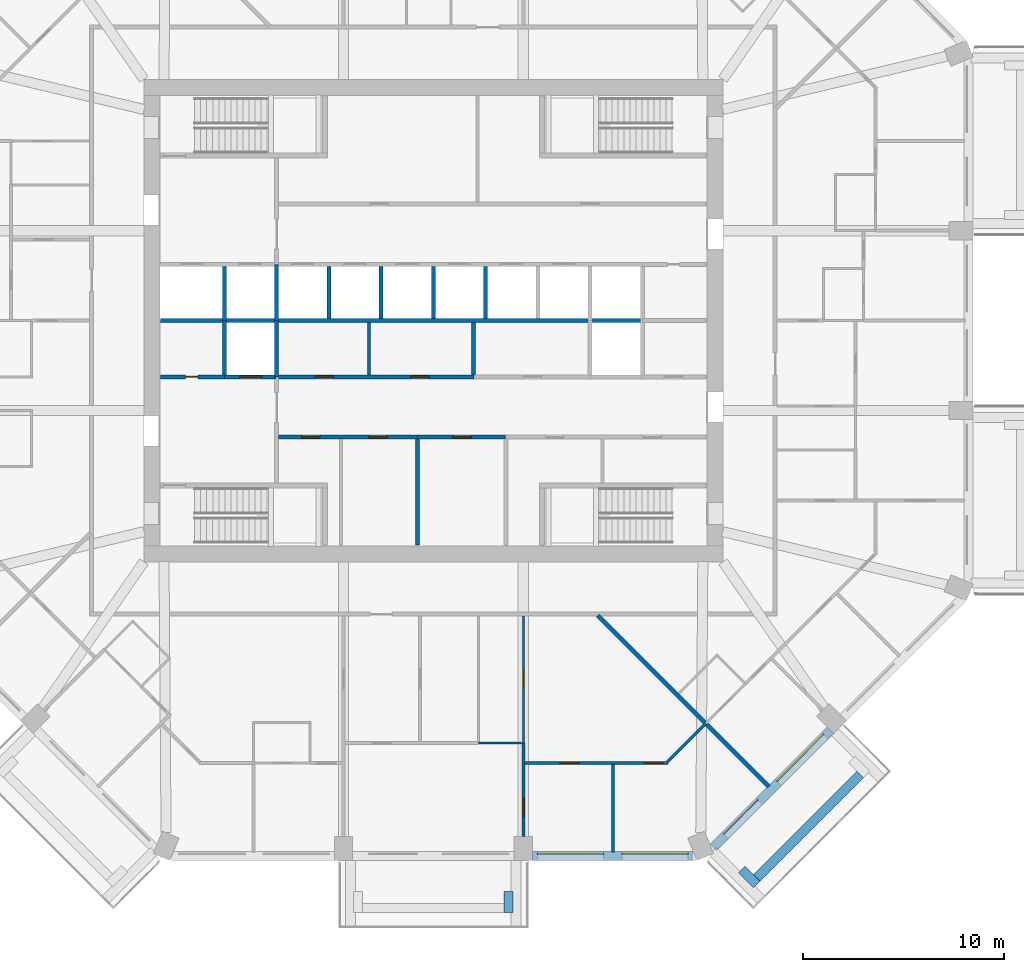
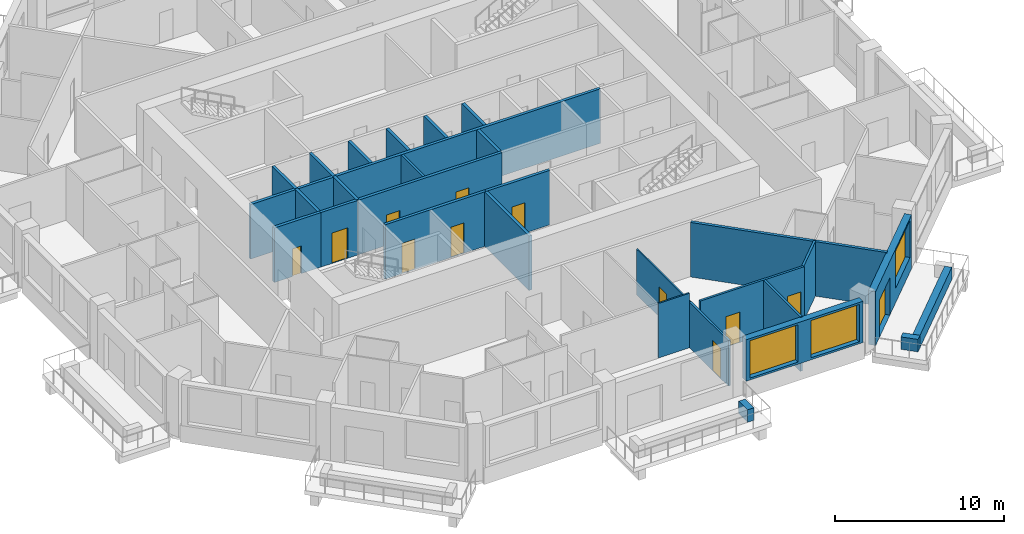
# One storey, part 5 of 13: 29 walls, 12 doors, 3 windows, 15 openings.
"""IFC4 building model written with IfcOpenShell, lengths in metres."""

from ifc_helpers import new_model, si_unit, direction, frame, frame_2d, origin, place, context, subcontext, project, spatial, rectangle, extrude, material, layer, layer_set, type_object, element, fill, save


model = new_model("IFC4")

# Units and contexts
model_context = context("Model", 3, precision=1e-05, world=origin(), true_north=direction((0.0, 1.0)))
body_context = subcontext(model_context, "Body", "Model", "MODEL_VIEW")
ifc_project = project(units=[si_unit("LENGTHUNIT", "METRE"), si_unit("AREAUNIT", "SQUARE_METRE"), si_unit("VOLUMEUNIT", "CUBIC_METRE"), si_unit("PLANEANGLEUNIT", "RADIAN"), si_unit("MASSUNIT", "GRAM", prefix="KILO")], contexts=[model_context])

# Site, building, storey
site_placement = place(None, origin())
site = spatial("IfcSite", under=ifc_project, at=site_placement, CompositionType="ELEMENT")
building_placement = place(site_placement, origin())
building = spatial("IfcBuilding", under=site, at=building_placement, Name="Msitu Wima Residences", CompositionType="ELEMENT")
storey_placement = place(building_placement, frame((0.0, 0.0, 135.89990234375)))
storey = spatial("IfcBuildingStorey", under=building, at=storey_placement, Name="L31", CompositionType="ELEMENT", Elevation=135.89990234375)

# Walls
ifc_material_1 = material(Name="Facing brick")
ifc_layer_1 = layer(ifc_material_1, 0.06494140625, Name="Facing brick")
ifc_material_2 = material(Name="Concrete C40/50", Category="concrete")
ifc_layer_2 = layer(ifc_material_2, 0.156005859375, Name="Concrete C40/50")
ifc_material_3 = material(Name="Waterproofing membrane")
ifc_layer_3 = layer(ifc_material_3, 0.00390625, Name="Waterproofing membrane")
ifc_material_4 = material(Name="Planting soil and planting")
ifc_layer_4 = layer(ifc_material_4, 0.22509765625, Name="Planting soil and planting")
ifc_layer_set_1 = layer_set([ifc_layer_1, ifc_layer_2, ifc_layer_3, ifc_layer_4], Name="Concrete C40/50")
wall_type_1 = type_object("IfcWallType", Name="Balcony planter PLANTER PL450", PredefinedType="USERDEFINED", material=ifc_layer_set_1)
wall_1_placement = place(storey_placement, frame((3.74365234375, -28.39990234375, 0.0), z_axis=(0.0, 0.0, 1.0), x_axis=(0.0, -1.0, 0.0)))
element("IfcWall", 1, at=wall_1_placement, inside=storey, type_object=wall_type_1, Name="Balcony planter S1 L31", ObjectType="PLANTER", PredefinedType="USERDEFINED", context=body_context, shape_type="SweptSolid", body=[
    extrude(rectangle(XDim=1.050048828125, YDim=0.449951171875, at=frame_2d((0.52490234375, 0.0))), origin(), (0.0, 0.0, 1.0), 0.900146484375),
])
wall_2_placement = place(storey_placement, frame((16.0751953125, -27.725830078125, 0.0), z_axis=(0.0, 0.0, 1.0), x_axis=(0.707106781187, 0.707106781187, 0.0)))
element("IfcWall", 2, at=wall_2_placement, inside=storey, type_object=wall_type_1, Name="Balcony planter SE0 L31", ObjectType="PLANTER", PredefinedType="USERDEFINED", context=body_context, shape_type="SweptSolid", body=[
    extrude(rectangle(XDim=7.288330078125, YDim=0.449951171875, at=frame_2d((3.64404296875, 0.0))), origin(), (0.0, 0.0, 1.0), 0.900146484375),
])
wall_3_placement = place(storey_placement, frame((15.332763671875, -27.301513671875, 0.0), z_axis=(0.0, 0.0, 1.0), x_axis=(0.707106781187, -0.707106781187, 0.0)))
element("IfcWall", 3, at=wall_3_placement, inside=storey, type_object=wall_type_1, Name="Balcony planter SE0 L31", ObjectType="PLANTER", PredefinedType="USERDEFINED", context=body_context, shape_type="SweptSolid", body=[
    extrude(rectangle(XDim=1.050048828125, YDim=0.449951171875, at=frame_2d((0.52490234375, 0.0))), origin(), (0.0, 0.0, 1.0), 0.900146484375),
])

# Wall, openings, windows
ifc_material_5 = material(Name="Brick (red buff mix)", Category="masonry")
ifc_layer_5 = layer(ifc_material_5, 0.449951171875)
ifc_layer_set_2 = layer_set([ifc_layer_5], Name="Brick (red buff mix)")
wall_type_2 = type_object("IfcWallType", Name="Brick infill wall BW450", PredefinedType="SOLIDWALL", material=ifc_layer_set_2)
wall_4_placement = place(storey_placement, frame((4.918701171875, -26.625, 0.900146484375), z_axis=(0.0, 0.0, 1.0), x_axis=(1.0, 0.0, 0.0)))
wall_4 = element("IfcWall", 4, at=wall_4_placement, inside=storey, type_object=wall_type_2, Name="Brick infill wall L31 S2", PredefinedType="SOLIDWALL", context=body_context, shape_type="SweptSolid", body=[
    extrude(rectangle(XDim=8.0, YDim=0.449951171875, at=frame_2d((4.0, 0.0))), origin(), (0.0, 0.0, 1.0), 3.0),
])
opening_1_placement = place(wall_4_placement, frame((0.25, 0.0, 0.14990234375)))
opening_1 = element("IfcOpeningElement", 5, at=opening_1_placement, cuts=wall_4, Name="Opening W30-32.019", PredefinedType="OPENING", context=body_context, shape_type="SweptSolid", body=[
    extrude(rectangle(XDim=3.300048828125, YDim=2.699951171875, at=frame_2d((1.64990234375, 1.35009765625))), frame((0.0, 0.23486328125, 0.0), z_axis=(0.0, -1.0, 0.0), x_axis=(1.0, 0.0, 0.0)), (0.0, 0.0, 1.0), 0.469970703125),
])
opening_2_placement = place(wall_4_placement, frame((4.4501953125, 0.0, 0.14990234375)))
opening_2 = element("IfcOpeningElement", 6, at=opening_2_placement, cuts=wall_4, Name="Opening W30-32.020", PredefinedType="OPENING", context=body_context, shape_type="SweptSolid", body=[
    extrude(rectangle(XDim=3.300048828125, YDim=2.699951171875, at=frame_2d((1.64990234375, 1.35009765625))), frame((0.0, 0.23486328125, 0.0), z_axis=(0.0, -1.0, 0.0), x_axis=(1.0, 0.0, 0.0)), (0.0, 0.0, 1.0), 0.469970703125),
])
ifc_material_6 = material(Name="Anodised aluminium, bronze finish, clear low-emissivity double glazing", Category="aluminium")
window_type = type_object("IfcWindowType", Name="Window W3300x2700", PartitioningType="DOUBLE_PANEL_VERTICAL", PredefinedType="WINDOW", material=ifc_material_6)
window_1_placement = place(opening_1_placement, origin())
window_1 = element("IfcWindow", 7, at=window_1_placement, inside=storey, type_object=window_type, Name="Window L31 S2.1", OverallHeight=2.699951171875, OverallWidth=3.300048828125, PartitioningType="SINGLE_PANEL", PredefinedType="WINDOW", context=body_context, shape_type="SweptSolid", body=[
    extrude(rectangle(XDim=3.300048828125, YDim=2.699951171875, at=frame_2d((1.64990234375, 1.35009765625))), frame((0.0, 0.135009765625, 0.0), z_axis=(0.0, -1.0, 0.0), x_axis=(1.0, 0.0, 0.0)), (0.0, 0.0, 1.0), 0.06005859375),
])
fill(opening_1, window_1)
window_2_placement = place(opening_2_placement, origin())
window_2 = element("IfcWindow", 8, at=window_2_placement, inside=storey, type_object=window_type, Name="Window L31 S2.2", OverallHeight=2.699951171875, OverallWidth=3.300048828125, PartitioningType="SINGLE_PANEL", PredefinedType="WINDOW", context=body_context, shape_type="SweptSolid", body=[
    extrude(rectangle(XDim=3.300048828125, YDim=2.699951171875, at=frame_2d((1.64990234375, 1.35009765625))), frame((0.0, 0.135009765625, 0.0), z_axis=(0.0, -1.0, 0.0), x_axis=(1.0, 0.0, 0.0)), (0.0, 0.0, 1.0), 0.06005859375),
])
fill(opening_2, window_2)

# Wall, openings, door, window
wall_5_placement = place(storey_placement, frame((13.909423828125, -26.214599609375, 0.0), z_axis=(0.0, 0.0, 1.0), x_axis=(0.707106781187, 0.707106781187, 0.0)))
wall_5 = element("IfcWall", 9, at=wall_5_placement, inside=storey, type_object=wall_type_2, Name="Brick infill wall L31 SE0", PredefinedType="SOLIDWALL", context=body_context, shape_type="SweptSolid", body=[
    extrude(rectangle(XDim=8.251220703125, YDim=0.449951171875, at=frame_2d((4.12548828125, 0.0))), origin(), (0.0, 0.0, 1.0), 3.900146484375),
])
opening_3_placement = place(wall_5_placement, frame((0.86279296875, 0.0, 0.0)))
opening_3 = element("IfcOpeningElement", 10, at=opening_3_placement, cuts=wall_5, Name="Opening D30-32.007", PredefinedType="OPENING", context=body_context, shape_type="SweptSolid", body=[
    extrude(rectangle(XDim=2.39990234375, YDim=2.699951171875, at=frame_2d((1.199951171875, 1.35009765625))), frame((0.0, 0.23486328125, 0.0), z_axis=(0.0, -1.0, 0.0), x_axis=(1.0, 0.0, 0.0)), (0.0, 0.0, 1.0), 0.469970703125),
])
opening_4_placement = place(wall_5_placement, frame((4.57568359375, 0.0, 1.050048828125)))
opening_4 = element("IfcOpeningElement", 11, at=opening_4_placement, cuts=wall_5, Name="Opening W30-32.021", PredefinedType="OPENING", context=body_context, shape_type="SweptSolid", body=[
    extrude(rectangle(XDim=3.300048828125, YDim=2.699951171875, at=frame_2d((1.64990234375, 1.35009765625))), frame((0.0, 0.23486328125, 0.0), z_axis=(0.0, -1.0, 0.0), x_axis=(1.0, 0.0, 0.0)), (0.0, 0.0, 1.0), 0.469970703125),
])
door_type_1 = type_object("IfcDoorType", Name="Balcony door D2400x2700", OperationType="SLIDING_TO_LEFT", PredefinedType="DOOR", material=ifc_material_6)
door_1_placement = place(opening_3_placement, origin())
door_1 = element("IfcDoor", 12, at=door_1_placement, inside=storey, type_object=door_type_1, Name="Balcony door L31 SE0", OperationType="SINGLE_SWING_LEFT", OverallHeight=2.699951171875, OverallWidth=2.39990234375, PredefinedType="DOOR", context=body_context, shape_type="SweptSolid", body=[
    extrude(rectangle(XDim=2.39990234375, YDim=2.699951171875, at=frame_2d((1.199951171875, 1.35009765625))), frame((0.0, 0.1298828125, 0.0), z_axis=(0.0, -1.0, 0.0), x_axis=(1.0, 0.0, 0.0)), (0.0, 0.0, 1.0), 0.050048828125),
])
fill(opening_3, door_1)
window_3_placement = place(opening_4_placement, origin())
window_3 = element("IfcWindow", 13, at=window_3_placement, inside=storey, type_object=window_type, Name="Window L31 SE0.2", OverallHeight=2.699951171875, OverallWidth=3.300048828125, PartitioningType="SINGLE_PANEL", PredefinedType="WINDOW", context=body_context, shape_type="SweptSolid", body=[
    extrude(rectangle(XDim=3.300048828125, YDim=2.699951171875, at=frame_2d((1.64990234375, 1.35009765625))), frame((0.0, 0.135009765625, 0.0), z_axis=(0.0, -1.0, 0.0), x_axis=(1.0, 0.0, 0.0)), (0.0, 0.0, 1.0), 0.06005859375),
])
fill(opening_4, window_3)

# Wall, openings, doors
ifc_material_7 = material(Name="Plaster")
ifc_layer_6 = layer(ifc_material_7, 0.011962890625, Name="Plaster")
ifc_material_8 = material(Name="Concrete blockwork", Category="masonry")
ifc_layer_7 = layer(ifc_material_8, 0.176025390625, Name="Concrete blockwork")
ifc_layer_8 = layer(ifc_material_7, 0.011962890625, Name="Plaster")
ifc_layer_set_3 = layer_set([ifc_layer_6, ifc_layer_7, ifc_layer_8], Name="Concrete blockwork")
wall_type_3 = type_object("IfcWallType", Name="Corridor wall FW200", PredefinedType="PARTITIONING", material=ifc_layer_set_3)
wall_6_placement = place(storey_placement, frame((-7.820068359375, -2.800048828125, 0.0), z_axis=(0.0, 0.0, 1.0), x_axis=(1.0, 0.0, 0.0)))
wall_6 = element("IfcWall", 14, at=wall_6_placement, inside=storey, type_object=wall_type_3, Name="Corridor wall", PredefinedType="PARTITIONING", context=body_context, shape_type="SweptSolid", body=[
    extrude(rectangle(XDim=9.840087890625, YDim=0.199951171875, at=frame_2d((4.919921875, 0.0))), origin(), (0.0, 0.0, 1.0), 3.9501953125),
])
opening_5_placement = place(wall_6_placement, frame((1.949951171875, 0.0, 0.0)))
opening_5 = element("IfcOpeningElement", 15, at=opening_5_placement, cuts=wall_6, Name="Opening D30-32.031", PredefinedType="OPENING", context=body_context, shape_type="SweptSolid", body=[
    extrude(rectangle(XDim=0.89990234375, YDim=2.199951171875, at=frame_2d((0.449951171875, 1.10009765625))), frame((0.0, 0.10986328125, 0.0), z_axis=(0.0, -1.0, 0.0), x_axis=(1.0, 0.0, 0.0)), (0.0, 0.0, 1.0), 0.219970703125),
])
opening_6_placement = place(wall_6_placement, frame((6.699951171875, 0.0, 0.0)))
opening_6 = element("IfcOpeningElement", 16, at=opening_6_placement, cuts=wall_6, Name="Opening D30-32.032", PredefinedType="OPENING", context=body_context, shape_type="SweptSolid", body=[
    extrude(rectangle(XDim=0.89990234375, YDim=2.199951171875, at=frame_2d((0.449951171875, 1.10009765625))), frame((0.0, 0.10986328125, 0.0), z_axis=(0.0, -1.0, 0.0), x_axis=(1.0, 0.0, 0.0)), (0.0, 0.0, 1.0), 0.219970703125),
])
ifc_material_9 = material(Name="Timber flush door", Category="wood")
door_type_2 = type_object("IfcDoorType", Name="Service door D05 900x2200", OperationType="SINGLE_SWING_LEFT", PredefinedType="DOOR", material=ifc_material_9)
door_2_placement = place(opening_5_placement, origin())
door_2 = element("IfcDoor", 17, at=door_2_placement, inside=storey, type_object=door_type_2, Name="Service door", OperationType="SINGLE_SWING_RIGHT", OverallHeight=2.199951171875, OverallWidth=0.89990234375, PredefinedType="DOOR", context=body_context, shape_type="SweptSolid", body=[
    extrude(rectangle(XDim=0.89990234375, YDim=2.199951171875, at=frame_2d((0.449951171875, 1.10009765625))), frame((0.0, 0.02490234375, 0.0), z_axis=(0.0, -1.0, 0.0), x_axis=(1.0, 0.0, 0.0)), (0.0, 0.0, 1.0), 0.050048828125),
])
fill(opening_5, door_2)
door_3_placement = place(opening_6_placement, origin())
door_3 = element("IfcDoor", 18, at=door_3_placement, inside=storey, type_object=door_type_2, Name="Service door", OperationType="SINGLE_SWING_LEFT", OverallHeight=2.199951171875, OverallWidth=0.89990234375, PredefinedType="DOOR", context=body_context, shape_type="SweptSolid", body=[
    extrude(rectangle(XDim=0.89990234375, YDim=2.199951171875, at=frame_2d((0.449951171875, 1.10009765625))), frame((0.0, 0.02490234375, 0.0), z_axis=(0.0, -1.0, 0.0), x_axis=(1.0, 0.0, 0.0)), (0.0, 0.0, 1.0), 0.050048828125),
])
fill(opening_6, door_3)

wall_7_placement = place(storey_placement, frame((-7.699951171875, -5.800048828125, 0.0), z_axis=(0.0, 0.0, 1.0), x_axis=(1.0, 0.0, 0.0)))
wall_7 = element("IfcWall", 19, at=wall_7_placement, inside=storey, type_object=wall_type_3, Name="Corridor wall", PredefinedType="PARTITIONING", context=body_context, shape_type="SweptSolid", body=[
    extrude(rectangle(XDim=6.919921875, YDim=0.199951171875, at=frame_2d((3.4599609375, 0.0))), origin(), (0.0, 0.0, 1.0), 3.9501953125),
])
opening_7_placement = place(wall_7_placement, frame((1.14990234375, 0.0, 0.0)))
opening_7 = element("IfcOpeningElement", 20, at=opening_7_placement, cuts=wall_7, Name="Opening D30-32.022", PredefinedType="OPENING", context=body_context, shape_type="SweptSolid", body=[
    extrude(rectangle(XDim=0.89990234375, YDim=2.199951171875, at=frame_2d((0.449951171875, 1.10009765625))), frame((0.0, 0.10986328125, 0.0), z_axis=(0.0, -1.0, 0.0), x_axis=(1.0, 0.0, 0.0)), (0.0, 0.0, 1.0), 0.219970703125),
])
opening_8_placement = place(wall_7_placement, frame((4.5, 0.0, 0.0)))
opening_8 = element("IfcOpeningElement", 21, at=opening_8_placement, cuts=wall_7, Name="Opening D30-32.023", PredefinedType="OPENING", context=body_context, shape_type="SweptSolid", body=[
    extrude(rectangle(XDim=0.89990234375, YDim=2.199951171875, at=frame_2d((0.449951171875, 1.10009765625))), frame((0.0, 0.10986328125, 0.0), z_axis=(0.0, -1.0, 0.0), x_axis=(1.0, 0.0, 0.0)), (0.0, 0.0, 1.0), 0.219970703125),
])
door_4_placement = place(opening_7_placement, origin())
door_4 = element("IfcDoor", 22, at=door_4_placement, inside=storey, type_object=door_type_2, Name="Service door", OperationType="SINGLE_SWING_LEFT", OverallHeight=2.199951171875, OverallWidth=0.89990234375, PredefinedType="DOOR", context=body_context, shape_type="SweptSolid", body=[
    extrude(rectangle(XDim=0.89990234375, YDim=2.199951171875, at=frame_2d((0.449951171875, 1.10009765625))), frame((0.0, 0.02490234375, 0.0), z_axis=(0.0, -1.0, 0.0), x_axis=(1.0, 0.0, 0.0)), (0.0, 0.0, 1.0), 0.050048828125),
])
fill(opening_7, door_4)
door_5_placement = place(opening_8_placement, origin())
door_5 = element("IfcDoor", 23, at=door_5_placement, inside=storey, type_object=door_type_2, Name="Service door", OperationType="SINGLE_SWING_RIGHT", OverallHeight=2.199951171875, OverallWidth=0.89990234375, PredefinedType="DOOR", context=body_context, shape_type="SweptSolid", body=[
    extrude(rectangle(XDim=0.89990234375, YDim=2.199951171875, at=frame_2d((0.449951171875, 1.10009765625))), frame((0.0, 0.02490234375, 0.0), z_axis=(0.0, -1.0, 0.0), x_axis=(1.0, 0.0, 0.0)), (0.0, 0.0, 1.0), 0.050048828125),
])
fill(opening_8, door_5)

# Wall
ifc_layer_9 = layer(ifc_material_7, 0.011962890625, Name="Plaster")
ifc_layer_10 = layer(ifc_material_8, 0.1259765625, Name="Concrete blockwork")
ifc_layer_11 = layer(ifc_material_7, 0.011962890625, Name="Plaster")
ifc_layer_set_4 = layer_set([ifc_layer_9, ifc_layer_10, ifc_layer_11], Name="Concrete blockwork")
wall_type_4 = type_object("IfcWallType", Name="Partition PW150", PredefinedType="PARTITIONING", material=ifc_layer_set_4)
wall_8_placement = place(storey_placement, frame((-3.199951171875, -2.699951171875, 0.0), z_axis=(0.0, 0.0, 1.0), x_axis=(0.0, 1.0, 0.0)))
element("IfcWall", 24, at=wall_8_placement, inside=storey, type_object=wall_type_4, Name="Partition", PredefinedType="PARTITIONING", context=body_context, shape_type="SweptSolid", body=[
    extrude(rectangle(XDim=2.599853515625, YDim=0.14990234375, at=frame_2d((1.2998046875, 0.0))), origin(), (0.0, 0.0, 1.0), 3.9501953125),
])

# Wall, opening, door
wall_9_placement = place(storey_placement, frame((4.46875, -25.64990234375, 0.0), z_axis=(0.0, 0.0, 1.0), x_axis=(0.0, 1.0, 0.0)))
wall_9 = element("IfcWall", 25, at=wall_9_placement, inside=storey, type_object=wall_type_4, Name="Partition", PredefinedType="PARTITIONING", context=body_context, shape_type="SweptSolid", body=[
    extrude(rectangle(XDim=4.6298828125, YDim=0.14990234375, at=frame_2d((2.31494140625, 0.0))), origin(), (0.0, 0.0, 1.0), 3.300048828125),
])
opening_9_placement = place(wall_9_placement, frame((0.949951171875, 0.0, 0.0)))
opening_9 = element("IfcOpeningElement", 26, at=opening_9_placement, cuts=wall_9, Name="Opening D30-32.068", PredefinedType="OPENING", context=body_context, shape_type="SweptSolid", body=[
    extrude(rectangle(XDim=0.949951171875, YDim=2.199951171875, at=frame_2d((0.47509765625, 1.10009765625))), frame((0.0, 0.0849609375, 0.0), z_axis=(0.0, -1.0, 0.0), x_axis=(1.0, 0.0, 0.0)), (0.0, 0.0, 1.0), 0.169921875),
])
door_type_3 = type_object("IfcDoorType", Name="Room door D12 950x2200", OperationType="SINGLE_SWING_LEFT", PredefinedType="DOOR", material=ifc_material_9)
door_6_placement = place(opening_9_placement, origin())
door_6 = element("IfcDoor", 27, at=door_6_placement, inside=storey, type_object=door_type_3, Name="Room door", OperationType="SINGLE_SWING_LEFT", OverallHeight=2.199951171875, OverallWidth=0.949951171875, PredefinedType="DOOR", context=body_context, shape_type="SweptSolid", body=[
    extrude(rectangle(XDim=0.949951171875, YDim=2.199951171875, at=frame_2d((0.47509765625, 1.10009765625))), frame((0.0, 0.02490234375, 0.0), z_axis=(0.0, -1.0, 0.0), x_axis=(1.0, 0.0, 0.0)), (0.0, 0.0, 1.0), 0.050048828125),
])
fill(opening_9, door_6)

# Wall, openings, doors
wall_10_placement = place(storey_placement, frame((4.543701171875, -22.0, 0.0), z_axis=(0.0, 0.0, 1.0), x_axis=(1.0, 0.0, 0.0)))
wall_10 = element("IfcWall", 28, at=wall_10_placement, inside=storey, type_object=wall_type_4, Name="Partition", PredefinedType="PARTITIONING", context=body_context, shape_type="SweptSolid", body=[
    extrude(rectangle(XDim=7.11474609375, YDim=0.14990234375, at=frame_2d((3.557373046875, 0.0))), origin(), (0.0, 0.0, 1.0), 3.9501953125),
])
opening_10_placement = place(wall_10_placement, frame((1.75, 0.0, 0.0)))
opening_10 = element("IfcOpeningElement", 29, at=opening_10_placement, cuts=wall_10, Name="Opening D30-32.069", PredefinedType="OPENING", context=body_context, shape_type="SweptSolid", body=[
    extrude(rectangle(XDim=0.949951171875, YDim=2.199951171875, at=frame_2d((0.47509765625, 1.10009765625))), frame((0.0, 0.0849609375, 0.0), z_axis=(0.0, -1.0, 0.0), x_axis=(1.0, 0.0, 0.0)), (0.0, 0.0, 1.0), 0.169921875),
])
opening_11_placement = place(wall_10_placement, frame((5.949951171875, 0.0, 0.0)))
opening_11 = element("IfcOpeningElement", 30, at=opening_11_placement, cuts=wall_10, Name="Opening D30-32.072", PredefinedType="OPENING", context=body_context, shape_type="SweptSolid", body=[
    extrude(rectangle(XDim=0.949951171875, YDim=2.199951171875, at=frame_2d((0.47509765625, 1.10009765625))), frame((0.0, 0.0849609375, 0.0), z_axis=(0.0, -1.0, 0.0), x_axis=(1.0, 0.0, 0.0)), (0.0, 0.0, 1.0), 0.169921875),
])
door_7_placement = place(opening_10_placement, origin())
door_7 = element("IfcDoor", 31, at=door_7_placement, inside=storey, type_object=door_type_3, Name="Room door", OperationType="SINGLE_SWING_LEFT", OverallHeight=2.199951171875, OverallWidth=0.949951171875, PredefinedType="DOOR", context=body_context, shape_type="SweptSolid", body=[
    extrude(rectangle(XDim=0.949951171875, YDim=2.199951171875, at=frame_2d((0.47509765625, 1.10009765625))), frame((0.0, 0.02490234375, 0.0), z_axis=(0.0, -1.0, 0.0), x_axis=(1.0, 0.0, 0.0)), (0.0, 0.0, 1.0), 0.050048828125),
])
fill(opening_10, door_7)
door_8_placement = place(opening_11_placement, origin())
door_8 = element("IfcDoor", 32, at=door_8_placement, inside=storey, type_object=door_type_3, Name="Room door", OperationType="SINGLE_SWING_RIGHT", OverallHeight=2.199951171875, OverallWidth=0.949951171875, PredefinedType="DOOR", context=body_context, shape_type="SweptSolid", body=[
    extrude(rectangle(XDim=0.949951171875, YDim=2.199951171875, at=frame_2d((0.47509765625, 1.10009765625))), frame((0.0, 0.02490234375, 0.0), z_axis=(0.0, -1.0, 0.0), x_axis=(1.0, 0.0, 0.0)), (0.0, 0.0, 1.0), 0.050048828125),
])
fill(opening_11, door_8)

# Walls
wall_11_placement = place(storey_placement, frame((8.937255859375, -26.455078125, 0.0), z_axis=(0.0, 0.0, 1.0), x_axis=(0.0, 1.0, 0.0)))
element("IfcWall", 33, at=wall_11_placement, inside=storey, type_object=wall_type_4, Name="Partition", PredefinedType="PARTITIONING", context=body_context, shape_type="SweptSolid", body=[
    extrude(rectangle(XDim=4.380126953125, YDim=0.14990234375, at=frame_2d((2.18994140625, 0.0))), origin(), (0.0, 0.0, 1.0), 3.9501953125),
])
wall_12_placement = place(storey_placement, frame((11.636474609375, -21.947021484375, 0.0), z_axis=(0.0, 0.0, 1.0), x_axis=(0.707106781187, 0.707106781187, 0.0)))
element("IfcWall", 34, at=wall_12_placement, inside=storey, type_object=wall_type_4, Name="Partition", PredefinedType="PARTITIONING", context=body_context, shape_type="SweptSolid", body=[
    extrude(rectangle(XDim=2.696533203125, YDim=0.14990234375, at=frame_2d((1.34814453125, 0.0))), origin(), (0.0, 0.0, 1.0), 3.9501953125),
])
ifc_layer_12 = layer(ifc_material_7, 0.011962890625, Name="Plaster")
ifc_material_10 = material(Name="Dense concrete blockwork", Category="masonry")
ifc_layer_13 = layer(ifc_material_10, 0.176025390625, Name="Dense concrete blockwork")
ifc_layer_14 = layer(ifc_material_7, 0.011962890625, Name="Plaster")
ifc_layer_set_5 = layer_set([ifc_layer_12, ifc_layer_13, ifc_layer_14], Name="Dense concrete blockwork")
wall_type_5 = type_object("IfcWallType", Name="Party wall PW200", PredefinedType="PARTITIONING", material=ifc_layer_set_5)
wall_13_placement = place(storey_placement, frame((8.173583984375, -14.670654296875, 0.0), z_axis=(0.0, 0.0, 1.0), x_axis=(0.707106781187, -0.707106781187, 0.0)))
element("IfcWall", 35, at=wall_13_placement, inside=storey, type_object=wall_type_5, Name="Party wall", PredefinedType="PARTITIONING", context=body_context, shape_type="SweptSolid", body=[
    extrude(rectangle(XDim=12.048828125, YDim=0.199951171875, at=frame_2d((6.0244140625, 0.0))), origin(), (0.0, 0.0, 1.0), 3.9501953125),
])

# Wall, opening, door
ifc_layer_15 = layer(ifc_material_7, 0.011962890625, Name="Plaster")
ifc_material_11 = material(Name="Reinforced concrete blockwork", Category="masonry")
ifc_layer_16 = layer(ifc_material_11, 0.176025390625, Name="Reinforced concrete blockwork")
ifc_layer_17 = layer(ifc_material_7, 0.011962890625, Name="Plaster")
ifc_layer_set_6 = layer_set([ifc_layer_15, ifc_layer_16, ifc_layer_17], Name="Reinforced concrete blockwork")
wall_type_6 = type_object("IfcWallType", Name="Plant and riser wall PL200", PredefinedType="PARTITIONING", material=ifc_layer_set_6)
wall_14_placement = place(storey_placement, frame((-13.570068359375, -2.800048828125, 0.0), z_axis=(0.0, 0.0, 1.0), x_axis=(1.0, 0.0, 0.0)))
wall_14 = element("IfcWall", 36, at=wall_14_placement, inside=storey, type_object=wall_type_6, Name="Plant and riser wall", PredefinedType="PARTITIONING", context=body_context, shape_type="SweptSolid", body=[
    extrude(rectangle(XDim=3.190185546875, YDim=0.199951171875, at=frame_2d((1.59521484375, 0.0))), origin(), (0.0, 0.0, 1.0), 3.9501953125),
])
opening_12_placement = place(wall_14_placement, frame((1.25, 0.0, 0.0)))
opening_12 = element("IfcOpeningElement", 37, at=opening_12_placement, cuts=wall_14, Name="Opening D30-32.030", PredefinedType="OPENING", context=body_context, shape_type="SweptSolid", body=[
    extrude(rectangle(XDim=0.60009765625, YDim=2.0, at=frame_2d((0.300048828125, 1.0))), frame((0.0, 0.10986328125, 0.0), z_axis=(0.0, -1.0, 0.0), x_axis=(1.0, 0.0, 0.0)), (0.0, 0.0, 1.0), 0.219970703125),
])
ifc_material_12 = material(Name="Steel access door, fire resisting", Category="steel")
door_type_4 = type_object("IfcDoorType", Name="Riser access door D08 600x2000", OperationType="SINGLE_SWING_LEFT", PredefinedType="DOOR", material=ifc_material_12)
door_9_placement = place(opening_12_placement, origin())
door_9 = element("IfcDoor", 38, at=door_9_placement, inside=storey, type_object=door_type_4, Name="Riser access door", OperationType="SINGLE_SWING_RIGHT", OverallHeight=2.0, OverallWidth=0.60009765625, PredefinedType="DOOR", context=body_context, shape_type="SweptSolid", body=[
    extrude(rectangle(XDim=0.60009765625, YDim=2.0, at=frame_2d((0.300048828125, 1.0))), frame((0.0, 0.02490234375, 0.0), z_axis=(0.0, -1.0, 0.0), x_axis=(1.0, 0.0, 0.0)), (0.0, 0.0, 1.0), 0.050048828125),
])
fill(opening_12, door_9)

wall_15_placement = place(storey_placement, frame((-0.780029296875, -5.800048828125, 0.0), z_axis=(0.0, 0.0, 1.0), x_axis=(1.0, 0.0, 0.0)))
wall_15 = element("IfcWall", 39, at=wall_15_placement, inside=storey, type_object=wall_type_6, Name="Plant and riser wall", PredefinedType="PARTITIONING", context=body_context, shape_type="SweptSolid", body=[
    extrude(rectangle(XDim=4.360107421875, YDim=0.199951171875, at=frame_2d((2.18017578125, 0.0))), origin(), (0.0, 0.0, 1.0), 3.9501953125),
])
opening_13_placement = place(wall_15_placement, frame((1.75, 0.0, 0.0)))
opening_13 = element("IfcOpeningElement", 40, at=opening_13_placement, cuts=wall_15, Name="Opening D30-32.024", PredefinedType="OPENING", context=body_context, shape_type="SweptSolid", body=[
    extrude(rectangle(XDim=0.89990234375, YDim=2.199951171875, at=frame_2d((0.449951171875, 1.10009765625))), frame((0.0, 0.10986328125, 0.0), z_axis=(0.0, -1.0, 0.0), x_axis=(1.0, 0.0, 0.0)), (0.0, 0.0, 1.0), 0.219970703125),
])
door_10_placement = place(opening_13_placement, origin())
door_10 = element("IfcDoor", 41, at=door_10_placement, inside=storey, type_object=door_type_2, Name="Service door", OperationType="SINGLE_SWING_LEFT", OverallHeight=2.199951171875, OverallWidth=0.89990234375, PredefinedType="DOOR", context=body_context, shape_type="SweptSolid", body=[
    extrude(rectangle(XDim=0.89990234375, YDim=2.199951171875, at=frame_2d((0.449951171875, 1.10009765625))), frame((0.0, 0.02490234375, 0.0), z_axis=(0.0, -1.0, 0.0), x_axis=(1.0, 0.0, 0.0)), (0.0, 0.0, 1.0), 0.050048828125),
])
fill(opening_13, door_10)

# Walls
wall_16_placement = place(storey_placement, frame((-0.800048828125, -11.169921875, 0.0), z_axis=(0.0, 0.0, 1.0), x_axis=(0.0, 1.0, 0.0)))
element("IfcWall", 42, at=wall_16_placement, inside=storey, type_object=wall_type_6, Name="Plant and riser wall", PredefinedType="PARTITIONING", context=body_context, shape_type="SweptSolid", body=[
    extrude(rectangle(XDim=5.27001953125, YDim=0.199951171875, at=frame_2d((2.635009765625, 0.0))), origin(), (0.0, 0.0, 1.0), 3.9501953125),
])
wall_17_placement = place(storey_placement, frame((2.0, -2.699951171875, 0.0), z_axis=(0.0, 0.0, 1.0), x_axis=(0.0, 1.0, 0.0)))
element("IfcWall", 43, at=wall_17_placement, inside=storey, type_object=wall_type_6, Name="Plant and riser wall", PredefinedType="PARTITIONING", context=body_context, shape_type="SweptSolid", body=[
    extrude(rectangle(XDim=2.599853515625, YDim=0.199951171875, at=frame_2d((1.2998046875, 0.0))), origin(), (0.0, 0.0, 1.0), 3.9501953125),
])
ifc_material_13 = material(Name="Fire-rated board")
ifc_layer_18 = layer(ifc_material_13, 0.02490234375, Name="Fire-rated board")
ifc_material_14 = material(Name="Light-gauge stud framing with mineral wool")
ifc_layer_19 = layer(ifc_material_14, 0.14990234375, Name="Light-gauge stud framing with mineral wool")
ifc_layer_20 = layer(ifc_material_13, 0.02490234375, Name="Fire-rated board")
ifc_layer_set_7 = layer_set([ifc_layer_18, ifc_layer_19, ifc_layer_20], Name="Light-gauge stud framing with mineral wool")
wall_type_7 = type_object("IfcWallType", Name="Shaft wall SH200", PredefinedType="PARTITIONING", material=ifc_layer_set_7)
wall_18_placement = place(storey_placement, frame((-13.570068359375, 0.0, 0.0), z_axis=(0.0, 0.0, 1.0), x_axis=(1.0, 0.0, 0.0)))
element("IfcWall", 44, at=wall_18_placement, inside=storey, type_object=wall_type_7, Name="Shaft wall", PredefinedType="PARTITIONING", context=body_context, shape_type="SweptSolid", body=[
    extrude(rectangle(XDim=23.969970703125, YDim=0.199951171875, at=frame_2d((11.98486328125, 0.0))), origin(), (0.0, 0.0, 1.0), 3.9501953125),
])
wall_19_placement = place(storey_placement, frame((-10.39990234375, -2.699951171875, 0.0), z_axis=(0.0, 0.0, 1.0), x_axis=(0.0, 1.0, 0.0)))
element("IfcWall", 45, at=wall_19_placement, inside=storey, type_object=wall_type_7, Name="Shaft wall", PredefinedType="PARTITIONING", context=body_context, shape_type="SweptSolid", body=[
    extrude(rectangle(XDim=2.699951171875, YDim=0.199951171875, at=frame_2d((1.35009765625, 0.0))), origin(), (0.0, 0.0, 1.0), 3.9501953125),
])

# Wall, opening, door
wall_20_placement = place(storey_placement, frame((-10.3798828125, -2.800048828125, 0.0), z_axis=(0.0, 0.0, 1.0), x_axis=(1.0, 0.0, 0.0)))
wall_20 = element("IfcWall", 46, at=wall_20_placement, inside=storey, type_object=wall_type_7, Name="Shaft wall", PredefinedType="PARTITIONING", context=body_context, shape_type="SweptSolid", body=[
    extrude(rectangle(XDim=2.559814453125, YDim=0.199951171875, at=frame_2d((1.27978515625, 0.0))), origin(), (0.0, 0.0, 1.0), 3.9501953125),
])
opening_14_placement = place(wall_20_placement, frame((0.75, 0.0, 0.0)))
opening_14 = element("IfcOpeningElement", 47, at=opening_14_placement, cuts=wall_20, Name="Opening LD", PredefinedType="OPENING", context=body_context, shape_type="SweptSolid", body=[
    extrude(rectangle(XDim=1.10009765625, YDim=2.199951171875, at=frame_2d((0.550048828125, 1.10009765625))), frame((0.0, 0.10986328125, 0.0), z_axis=(0.0, -1.0, 0.0), x_axis=(1.0, 0.0, 0.0)), (0.0, 0.0, 1.0), 0.219970703125),
])
ifc_material_15 = material(Name="Stainless steel centre-opening landing door, rated", Category="steel")
door_type_5 = type_object("IfcDoorType", Name="Lift landing door LD 1100x2200", OperationType="DOUBLE_DOOR_SLIDING", PredefinedType="DOOR", material=ifc_material_15)
door_11_placement = place(opening_14_placement, origin())
door_11 = element("IfcDoor", 48, at=door_11_placement, inside=storey, type_object=door_type_5, Name="Lift landing door LD3", OperationType="DOUBLE_DOOR_SLIDING", OverallHeight=2.199951171875, OverallWidth=1.10009765625, PredefinedType="DOOR", context=body_context, shape_type="SweptSolid", body=[
    extrude(rectangle(XDim=1.10009765625, YDim=2.199951171875, at=frame_2d((0.550048828125, 1.10009765625))), frame((0.0, 0.02490234375, 0.0), z_axis=(0.0, -1.0, 0.0), x_axis=(1.0, 0.0, 0.0)), (0.0, 0.0, 1.0), 0.050048828125),
])
fill(opening_14, door_11)

# Walls
wall_21_placement = place(storey_placement, frame((-10.39990234375, 0.0, 0.0), z_axis=(0.0, 0.0, 1.0), x_axis=(0.0, 1.0, 0.0)))
element("IfcWall", 49, at=wall_21_placement, inside=storey, type_object=wall_type_7, Name="Shaft wall", PredefinedType="PARTITIONING", context=body_context, shape_type="SweptSolid", body=[
    extrude(rectangle(XDim=2.699951171875, YDim=0.199951171875, at=frame_2d((1.35009765625, 0.0))), origin(), (0.0, 0.0, 1.0), 3.9501953125),
])
for number, where, z_axis, x_axis, name in (
    (50, (-7.800048828125, -2.800048828125, 0.0), (0.0, 0.0, 1.0), (0.0, 1.0, 0.0), "Shaft wall"),
    (51, (-7.800048828125, 0.0, 0.0), (0.0, 0.0, 1.0), (0.0, 1.0, 0.0), "Shaft wall"),
):
    element("IfcWall", number, at=place(storey_placement, frame(where, z_axis=z_axis, x_axis=x_axis)), inside=storey, type_object=wall_type_7, Name=name, PredefinedType="PARTITIONING", context=body_context, shape_type="SweptSolid", body=[
        extrude(rectangle(XDim=2.800048828125, YDim=0.199951171875, at=frame_2d((1.39990234375, 0.0))), origin(), (0.0, 0.0, 1.0), 3.9501953125),
    ])
for number, where, z_axis, x_axis, name in (
    (52, (-5.199951171875, 0.10009765625, 0.0), (0.0, 0.0, 1.0), (0.0, 1.0, 0.0), "Shaft wall"),
    (53, (-2.60009765625, 0.10009765625, 0.0), (0.0, 0.0, 1.0), (0.0, 1.0, 0.0), "Shaft wall"),
    (54, (0.0, 0.10009765625, 0.0), (0.0, 0.0, 1.0), (0.0, 1.0, 0.0), "Shaft wall"),
    (55, (2.60009765625, 0.10009765625, 0.0), (0.0, 0.0, 1.0), (0.0, 1.0, 0.0), "Shaft wall"),
):
    element("IfcWall", number, at=place(storey_placement, frame(where, z_axis=z_axis, x_axis=x_axis)), inside=storey, type_object=wall_type_7, Name=name, PredefinedType="PARTITIONING", context=body_context, shape_type="SweptSolid", body=[
        extrude(rectangle(XDim=2.599853515625, YDim=0.199951171875, at=frame_2d((1.2998046875, 0.0))), origin(), (0.0, 0.0, 1.0), 3.9501953125),
    ])
ifc_material_16 = material(Name="Ceramic tiles")
ifc_layer_21 = layer(ifc_material_16, 0.008056640625, Name="Ceramic tiles")
ifc_material_17 = material(Name="Moisture-resistant board")
ifc_layer_22 = layer(ifc_material_17, 0.012451171875, Name="Moisture-resistant board")
ifc_layer_23 = layer(ifc_material_14, 0.06689453125, Name="Light-gauge stud framing with mineral wool")
ifc_layer_24 = layer(ifc_material_17, 0.012451171875, Name="Moisture-resistant board")
ifc_layer_set_8 = layer_set([ifc_layer_21, ifc_layer_22, ifc_layer_23, ifc_layer_24], Name="Light-gauge stud framing with mineral wool")
wall_type_8 = type_object("IfcWallType", Name="Wet wall PW100", PredefinedType="PARTITIONING", material=ifc_layer_set_8)
wall_22_placement = place(storey_placement, frame((2.25146484375, -21.0, 0.0), z_axis=(0.0, 0.0, 1.0), x_axis=(1.0, 0.0, 0.0)))
element("IfcWall", 56, at=wall_22_placement, inside=storey, type_object=wall_type_8, Name="Wet wall", PredefinedType="PARTITIONING", context=body_context, shape_type="SweptSolid", body=[
    extrude(rectangle(XDim=2.14208984375, YDim=0.10009765625, at=frame_2d((1.071044921875, 0.0))), origin(), (0.0, 0.0, 1.0), 3.9501953125),
])

# Wall, opening, door
wall_23_placement = place(storey_placement, frame((4.46875, -21.02001953125, 0.0), z_axis=(0.0, 0.0, 1.0), x_axis=(0.0, 1.0, 0.0)))
wall_23 = element("IfcWall", 57, at=wall_23_placement, inside=storey, type_object=wall_type_8, Name="Wet wall", PredefinedType="PARTITIONING", context=body_context, shape_type="SweptSolid", body=[
    extrude(rectangle(XDim=6.320068359375, YDim=0.10009765625, at=frame_2d((3.16015625, 0.0))), origin(), (0.0, 0.0, 1.0), 3.300048828125),
])
opening_15_placement = place(wall_23_placement, frame((2.75, 0.0, 0.0)))
opening_15 = element("IfcOpeningElement", 58, at=opening_15_placement, cuts=wall_23, Name="Opening D30-32.070", PredefinedType="OPENING", context=body_context, shape_type="SweptSolid", body=[
    extrude(rectangle(XDim=0.89990234375, YDim=2.199951171875, at=frame_2d((0.449951171875, 1.10009765625))), frame((0.0, 0.06005859375, 0.0), z_axis=(0.0, -1.0, 0.0), x_axis=(1.0, 0.0, 0.0)), (0.0, 0.0, 1.0), 0.1201171875),
])
ifc_material_18 = material(Name="Timber flush door, moisture resistant", Category="wood")
door_type_6 = type_object("IfcDoorType", Name="Bathroom door D03 900x2200", OperationType="SINGLE_SWING_LEFT", PredefinedType="DOOR", material=ifc_material_18)
door_12_placement = place(opening_15_placement, origin())
door_12 = element("IfcDoor", 59, at=door_12_placement, inside=storey, type_object=door_type_6, Name="Bathroom door", OperationType="SINGLE_SWING_RIGHT", OverallHeight=2.199951171875, OverallWidth=0.89990234375, PredefinedType="DOOR", context=body_context, shape_type="SweptSolid", body=[
    extrude(rectangle(XDim=0.89990234375, YDim=2.199951171875, at=frame_2d((0.449951171875, 1.10009765625))), frame((0.0, 0.02490234375, 0.0), z_axis=(0.0, -1.0, 0.0), x_axis=(1.0, 0.0, 0.0)), (0.0, 0.0, 1.0), 0.050048828125),
])
fill(opening_15, door_12)

save(model, "model.ifc")
